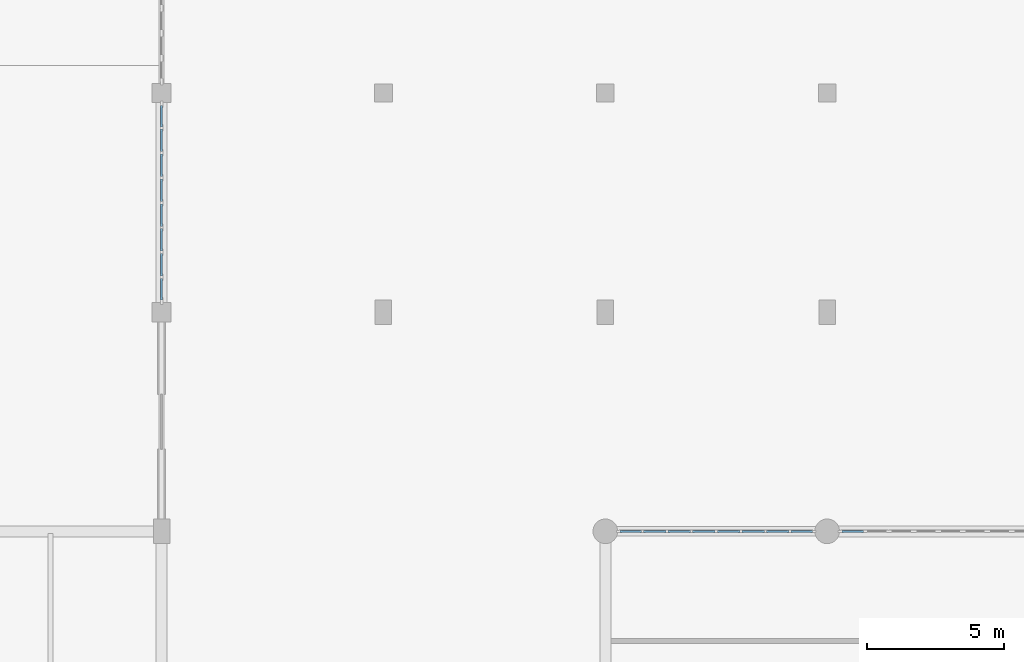
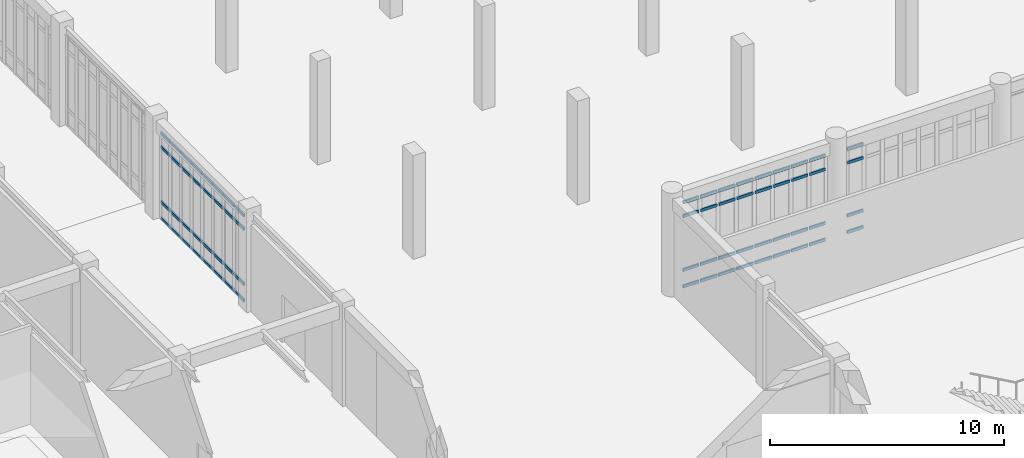
# One storey, part 20 of 62: 68 members, 3 elements without a shape of their own.
"""IFC4 building model written with IfcOpenShell, lengths in metres."""

from ifc_helpers import new_model, si_unit, direction, frame, origin, origin_2d, place, context, subcontext, project, spatial, rectangle, extrude, material, material_profile, profile_set, type_object, element, aggregate, save


model = new_model("IFC4")

# Units and contexts
model_context = context("Model", 3, precision=1e-05, world=origin(), true_north=direction((0.0, 1.0)))
body_context = subcontext(model_context, "Body", "Model", "MODEL_VIEW")
ifc_project = project(units=[si_unit("LENGTHUNIT", "METRE"), si_unit("AREAUNIT", "SQUARE_METRE"), si_unit("VOLUMEUNIT", "CUBIC_METRE"), si_unit("PLANEANGLEUNIT", "RADIAN"), si_unit("MASSUNIT", "GRAM", prefix="KILO")], contexts=[model_context])

# Site, building, storey
site_placement = place(None, origin())
site = spatial("IfcSite", under=ifc_project, at=site_placement, CompositionType="ELEMENT")
building_placement = place(site_placement, origin())
building = spatial("IfcBuilding", under=site, at=building_placement, Name="Tarnveldt Square Police Headquarters", CompositionType="ELEMENT")
storey_placement = place(building_placement, origin())
storey = spatial("IfcBuildingStorey", under=building, at=storey_placement, Name="L00", CompositionType="ELEMENT", Elevation=0.0)

# Curtain wall, members
ifc_material_1 = material(Name="Triple-glazed low-e laminated vision glass", Category="glass")
curtain_wall_type_1 = type_object("IfcCurtainWallType", Name="CW-CT-717x446", PredefinedType="USERDEFINED", material=ifc_material_1)
curtain_wall_1_placement = place(storey_placement, origin())
curtain_wall_1 = element("IfcCurtainWall", 1, at=curtain_wall_1_placement, inside=storey, type_object=curtain_wall_type_1, Name="L00 Curtain Wall CW-L00-014", ObjectType="GLAZED CURTAIN WALL", PredefinedType="USERDEFINED")
ifc_material_2 = material(Name="Thermally broken anodised aluminium 6063-T6", Category="aluminium")
ifc_material_profile = material_profile(ifc_material_2, rectangle(XDim=0.074951171875, YDim=0.14990234375, at=origin_2d()), Name="CW-T75x150")
ifc_profile_set = profile_set([ifc_material_profile], Name="Thermally broken anodised aluminium 6063-T6")
member_type = type_object("IfcMemberType", Name="CWT-75x150", PredefinedType="USERDEFINED", material=ifc_profile_set)
member_1_placement = place(storey_placement, frame((65.340087890625, 48.0, 0.03759765625), z_axis=(1.0, 0.0, 0.0), x_axis=(0.0, 1.0, 0.0)))
member_1 = element("IfcMember", 2, at=member_1_placement, type_object=member_type, Name="CW-CT06 transom 1.1", ObjectType="TRANSOM", PredefinedType="USERDEFINED", context=body_context, shape_type="SweptSolid", body=[
    extrude(rectangle(XDim=0.074951171875, YDim=0.14990234375, at=origin_2d()), origin(), (0.0, 0.0, 1.0), 0.78369140625),
])
member_2_placement = place(storey_placement, frame((65.340087890625, 48.0, 0.89990234375), z_axis=(1.0, 0.0, 0.0), x_axis=(0.0, 1.0, 0.0)))
member_2 = element("IfcMember", 3, at=member_2_placement, type_object=member_type, Name="CW-CT06 transom 1.2", ObjectType="TRANSOM", PredefinedType="USERDEFINED", context=body_context, shape_type="SweptSolid", body=[
    extrude(rectangle(XDim=0.074951171875, YDim=0.14990234375, at=origin_2d()), origin(), (0.0, 0.0, 1.0), 0.78369140625),
])
member_3_placement = place(storey_placement, frame((65.340087890625, 48.0, 3.7119140625), z_axis=(1.0, 0.0, 0.0), x_axis=(0.0, 1.0, 0.0)))
member_3 = element("IfcMember", 4, at=member_3_placement, type_object=member_type, Name="CW-CT06 transom 1.3", ObjectType="TRANSOM", PredefinedType="USERDEFINED", context=body_context, shape_type="SweptSolid", body=[
    extrude(rectangle(XDim=0.074951171875, YDim=0.14990234375, at=origin_2d()), origin(), (0.0, 0.0, 1.0), 0.78369140625),
])
member_4_placement = place(storey_placement, frame((65.340087890625, 48.0, 4.424560546875), z_axis=(1.0, 0.0, 0.0), x_axis=(0.0, 1.0, 0.0)))
member_4 = element("IfcMember", 5, at=member_4_placement, type_object=member_type, Name="CW-CT06 transom 1.4", ObjectType="TRANSOM", PredefinedType="USERDEFINED", context=body_context, shape_type="SweptSolid", body=[
    extrude(rectangle(XDim=0.074951171875, YDim=0.14990234375, at=origin_2d()), origin(), (0.0, 0.0, 1.0), 0.78369140625),
])
member_5_placement = place(storey_placement, frame((66.19873046875, 48.0, 0.03759765625), z_axis=(1.0, 0.0, 0.0), x_axis=(0.0, 1.0, 0.0)))
member_5 = element("IfcMember", 6, at=member_5_placement, type_object=member_type, Name="CW-CT06 transom 2.1", ObjectType="TRANSOM", PredefinedType="USERDEFINED", context=body_context, shape_type="SweptSolid", body=[
    extrude(rectangle(XDim=0.074951171875, YDim=0.14990234375, at=origin_2d()), origin(), (0.0, 0.0, 1.0), 0.8212890625),
])
member_6_placement = place(storey_placement, frame((66.19873046875, 48.0, 0.89990234375), z_axis=(1.0, 0.0, 0.0), x_axis=(0.0, 1.0, 0.0)))
member_6 = element("IfcMember", 7, at=member_6_placement, type_object=member_type, Name="CW-CT06 transom 2.2", ObjectType="TRANSOM", PredefinedType="USERDEFINED", context=body_context, shape_type="SweptSolid", body=[
    extrude(rectangle(XDim=0.074951171875, YDim=0.14990234375, at=origin_2d()), origin(), (0.0, 0.0, 1.0), 0.8212890625),
])
member_7_placement = place(storey_placement, frame((66.19873046875, 48.0, 3.7119140625), z_axis=(1.0, 0.0, 0.0), x_axis=(0.0, 1.0, 0.0)))
member_7 = element("IfcMember", 8, at=member_7_placement, type_object=member_type, Name="CW-CT06 transom 2.3", ObjectType="TRANSOM", PredefinedType="USERDEFINED", context=body_context, shape_type="SweptSolid", body=[
    extrude(rectangle(XDim=0.074951171875, YDim=0.14990234375, at=origin_2d()), origin(), (0.0, 0.0, 1.0), 0.8212890625),
])
member_8_placement = place(storey_placement, frame((66.19873046875, 48.0, 4.424560546875), z_axis=(1.0, 0.0, 0.0), x_axis=(0.0, 1.0, 0.0)))
member_8 = element("IfcMember", 9, at=member_8_placement, type_object=member_type, Name="CW-CT06 transom 2.4", ObjectType="TRANSOM", PredefinedType="USERDEFINED", context=body_context, shape_type="SweptSolid", body=[
    extrude(rectangle(XDim=0.074951171875, YDim=0.14990234375, at=origin_2d()), origin(), (0.0, 0.0, 1.0), 0.8212890625),
])
member_9_placement = place(storey_placement, frame((67.094970703125, 48.0, 0.03759765625), z_axis=(1.0, 0.0, 0.0), x_axis=(0.0, 1.0, 0.0)))
member_9 = element("IfcMember", 10, at=member_9_placement, type_object=member_type, Name="CW-CT06 transom 3.1", ObjectType="TRANSOM", PredefinedType="USERDEFINED", context=body_context, shape_type="SweptSolid", body=[
    extrude(rectangle(XDim=0.074951171875, YDim=0.14990234375, at=origin_2d()), origin(), (0.0, 0.0, 1.0), 0.8212890625),
])
member_10_placement = place(storey_placement, frame((67.094970703125, 48.0, 0.89990234375), z_axis=(1.0, 0.0, 0.0), x_axis=(0.0, 1.0, 0.0)))
member_10 = element("IfcMember", 11, at=member_10_placement, type_object=member_type, Name="CW-CT06 transom 3.2", ObjectType="TRANSOM", PredefinedType="USERDEFINED", context=body_context, shape_type="SweptSolid", body=[
    extrude(rectangle(XDim=0.074951171875, YDim=0.14990234375, at=origin_2d()), origin(), (0.0, 0.0, 1.0), 0.8212890625),
])
member_11_placement = place(storey_placement, frame((67.094970703125, 48.0, 3.7119140625), z_axis=(1.0, 0.0, 0.0), x_axis=(0.0, 1.0, 0.0)))
member_11 = element("IfcMember", 12, at=member_11_placement, type_object=member_type, Name="CW-CT06 transom 3.3", ObjectType="TRANSOM", PredefinedType="USERDEFINED", context=body_context, shape_type="SweptSolid", body=[
    extrude(rectangle(XDim=0.074951171875, YDim=0.14990234375, at=origin_2d()), origin(), (0.0, 0.0, 1.0), 0.8212890625),
])
member_12_placement = place(storey_placement, frame((67.094970703125, 48.0, 4.424560546875), z_axis=(1.0, 0.0, 0.0), x_axis=(0.0, 1.0, 0.0)))
member_12 = element("IfcMember", 13, at=member_12_placement, type_object=member_type, Name="CW-CT06 transom 3.4", ObjectType="TRANSOM", PredefinedType="USERDEFINED", context=body_context, shape_type="SweptSolid", body=[
    extrude(rectangle(XDim=0.074951171875, YDim=0.14990234375, at=origin_2d()), origin(), (0.0, 0.0, 1.0), 0.8212890625),
])
member_13_placement = place(storey_placement, frame((67.9912109375, 48.0, 0.03759765625), z_axis=(1.0, 0.0, 0.0), x_axis=(0.0, 1.0, 0.0)))
member_13 = element("IfcMember", 14, at=member_13_placement, type_object=member_type, Name="CW-CT06 transom 4.1", ObjectType="TRANSOM", PredefinedType="USERDEFINED", context=body_context, shape_type="SweptSolid", body=[
    extrude(rectangle(XDim=0.074951171875, YDim=0.14990234375, at=origin_2d()), origin(), (0.0, 0.0, 1.0), 0.8212890625),
])
member_14_placement = place(storey_placement, frame((67.9912109375, 48.0, 0.89990234375), z_axis=(1.0, 0.0, 0.0), x_axis=(0.0, 1.0, 0.0)))
member_14 = element("IfcMember", 15, at=member_14_placement, type_object=member_type, Name="CW-CT06 transom 4.2", ObjectType="TRANSOM", PredefinedType="USERDEFINED", context=body_context, shape_type="SweptSolid", body=[
    extrude(rectangle(XDim=0.074951171875, YDim=0.14990234375, at=origin_2d()), origin(), (0.0, 0.0, 1.0), 0.8212890625),
])
member_15_placement = place(storey_placement, frame((67.9912109375, 48.0, 3.7119140625), z_axis=(1.0, 0.0, 0.0), x_axis=(0.0, 1.0, 0.0)))
member_15 = element("IfcMember", 16, at=member_15_placement, type_object=member_type, Name="CW-CT06 transom 4.3", ObjectType="TRANSOM", PredefinedType="USERDEFINED", context=body_context, shape_type="SweptSolid", body=[
    extrude(rectangle(XDim=0.074951171875, YDim=0.14990234375, at=origin_2d()), origin(), (0.0, 0.0, 1.0), 0.8212890625),
])
member_16_placement = place(storey_placement, frame((67.9912109375, 48.0, 4.424560546875), z_axis=(1.0, 0.0, 0.0), x_axis=(0.0, 1.0, 0.0)))
member_16 = element("IfcMember", 17, at=member_16_placement, type_object=member_type, Name="CW-CT06 transom 4.4", ObjectType="TRANSOM", PredefinedType="USERDEFINED", context=body_context, shape_type="SweptSolid", body=[
    extrude(rectangle(XDim=0.074951171875, YDim=0.14990234375, at=origin_2d()), origin(), (0.0, 0.0, 1.0), 0.8212890625),
])
member_17_placement = place(storey_placement, frame((68.887451171875, 48.0, 0.03759765625), z_axis=(1.0, 0.0, 0.0), x_axis=(0.0, 1.0, 0.0)))
member_17 = element("IfcMember", 18, at=member_17_placement, type_object=member_type, Name="CW-CT06 transom 5.1", ObjectType="TRANSOM", PredefinedType="USERDEFINED", context=body_context, shape_type="SweptSolid", body=[
    extrude(rectangle(XDim=0.074951171875, YDim=0.14990234375, at=origin_2d()), origin(), (0.0, 0.0, 1.0), 0.8212890625),
])
member_18_placement = place(storey_placement, frame((68.887451171875, 48.0, 0.89990234375), z_axis=(1.0, 0.0, 0.0), x_axis=(0.0, 1.0, 0.0)))
member_18 = element("IfcMember", 19, at=member_18_placement, type_object=member_type, Name="CW-CT06 transom 5.2", ObjectType="TRANSOM", PredefinedType="USERDEFINED", context=body_context, shape_type="SweptSolid", body=[
    extrude(rectangle(XDim=0.074951171875, YDim=0.14990234375, at=origin_2d()), origin(), (0.0, 0.0, 1.0), 0.8212890625),
])
member_19_placement = place(storey_placement, frame((68.887451171875, 48.0, 3.7119140625), z_axis=(1.0, 0.0, 0.0), x_axis=(0.0, 1.0, 0.0)))
member_19 = element("IfcMember", 20, at=member_19_placement, type_object=member_type, Name="CW-CT06 transom 5.3", ObjectType="TRANSOM", PredefinedType="USERDEFINED", context=body_context, shape_type="SweptSolid", body=[
    extrude(rectangle(XDim=0.074951171875, YDim=0.14990234375, at=origin_2d()), origin(), (0.0, 0.0, 1.0), 0.8212890625),
])
member_20_placement = place(storey_placement, frame((68.887451171875, 48.0, 4.424560546875), z_axis=(1.0, 0.0, 0.0), x_axis=(0.0, 1.0, 0.0)))
member_20 = element("IfcMember", 21, at=member_20_placement, type_object=member_type, Name="CW-CT06 transom 5.4", ObjectType="TRANSOM", PredefinedType="USERDEFINED", context=body_context, shape_type="SweptSolid", body=[
    extrude(rectangle(XDim=0.074951171875, YDim=0.14990234375, at=origin_2d()), origin(), (0.0, 0.0, 1.0), 0.8212890625),
])
member_21_placement = place(storey_placement, frame((69.78369140625, 48.0, 0.03759765625), z_axis=(1.0, 0.0, 0.0), x_axis=(0.0, 1.0, 0.0)))
member_21 = element("IfcMember", 22, at=member_21_placement, type_object=member_type, Name="CW-CT06 transom 6.1", ObjectType="TRANSOM", PredefinedType="USERDEFINED", context=body_context, shape_type="SweptSolid", body=[
    extrude(rectangle(XDim=0.074951171875, YDim=0.14990234375, at=origin_2d()), origin(), (0.0, 0.0, 1.0), 0.8212890625),
])
member_22_placement = place(storey_placement, frame((69.78369140625, 48.0, 0.89990234375), z_axis=(1.0, 0.0, 0.0), x_axis=(0.0, 1.0, 0.0)))
member_22 = element("IfcMember", 23, at=member_22_placement, type_object=member_type, Name="CW-CT06 transom 6.2", ObjectType="TRANSOM", PredefinedType="USERDEFINED", context=body_context, shape_type="SweptSolid", body=[
    extrude(rectangle(XDim=0.074951171875, YDim=0.14990234375, at=origin_2d()), origin(), (0.0, 0.0, 1.0), 0.8212890625),
])
member_23_placement = place(storey_placement, frame((69.78369140625, 48.0, 3.7119140625), z_axis=(1.0, 0.0, 0.0), x_axis=(0.0, 1.0, 0.0)))
member_23 = element("IfcMember", 24, at=member_23_placement, type_object=member_type, Name="CW-CT06 transom 6.3", ObjectType="TRANSOM", PredefinedType="USERDEFINED", context=body_context, shape_type="SweptSolid", body=[
    extrude(rectangle(XDim=0.074951171875, YDim=0.14990234375, at=origin_2d()), origin(), (0.0, 0.0, 1.0), 0.8212890625),
])
member_24_placement = place(storey_placement, frame((69.78369140625, 48.0, 4.424560546875), z_axis=(1.0, 0.0, 0.0), x_axis=(0.0, 1.0, 0.0)))
member_24 = element("IfcMember", 25, at=member_24_placement, type_object=member_type, Name="CW-CT06 transom 6.4", ObjectType="TRANSOM", PredefinedType="USERDEFINED", context=body_context, shape_type="SweptSolid", body=[
    extrude(rectangle(XDim=0.074951171875, YDim=0.14990234375, at=origin_2d()), origin(), (0.0, 0.0, 1.0), 0.8212890625),
])
member_25_placement = place(storey_placement, frame((70.679931640625, 48.0, 0.03759765625), z_axis=(1.0, 0.0, 0.0), x_axis=(0.0, 1.0, 0.0)))
member_25 = element("IfcMember", 26, at=member_25_placement, type_object=member_type, Name="CW-CT06 transom 7.1", ObjectType="TRANSOM", PredefinedType="USERDEFINED", context=body_context, shape_type="SweptSolid", body=[
    extrude(rectangle(XDim=0.074951171875, YDim=0.14990234375, at=origin_2d()), origin(), (0.0, 0.0, 1.0), 0.8212890625),
])
member_26_placement = place(storey_placement, frame((70.679931640625, 48.0, 0.89990234375), z_axis=(1.0, 0.0, 0.0), x_axis=(0.0, 1.0, 0.0)))
member_26 = element("IfcMember", 27, at=member_26_placement, type_object=member_type, Name="CW-CT06 transom 7.2", ObjectType="TRANSOM", PredefinedType="USERDEFINED", context=body_context, shape_type="SweptSolid", body=[
    extrude(rectangle(XDim=0.074951171875, YDim=0.14990234375, at=origin_2d()), origin(), (0.0, 0.0, 1.0), 0.8212890625),
])
member_27_placement = place(storey_placement, frame((70.679931640625, 48.0, 3.7119140625), z_axis=(1.0, 0.0, 0.0), x_axis=(0.0, 1.0, 0.0)))
member_27 = element("IfcMember", 28, at=member_27_placement, type_object=member_type, Name="CW-CT06 transom 7.3", ObjectType="TRANSOM", PredefinedType="USERDEFINED", context=body_context, shape_type="SweptSolid", body=[
    extrude(rectangle(XDim=0.074951171875, YDim=0.14990234375, at=origin_2d()), origin(), (0.0, 0.0, 1.0), 0.8212890625),
])
member_28_placement = place(storey_placement, frame((70.679931640625, 48.0, 4.424560546875), z_axis=(1.0, 0.0, 0.0), x_axis=(0.0, 1.0, 0.0)))
member_28 = element("IfcMember", 29, at=member_28_placement, type_object=member_type, Name="CW-CT06 transom 7.4", ObjectType="TRANSOM", PredefinedType="USERDEFINED", context=body_context, shape_type="SweptSolid", body=[
    extrude(rectangle(XDim=0.074951171875, YDim=0.14990234375, at=origin_2d()), origin(), (0.0, 0.0, 1.0), 0.8212890625),
])
member_29_placement = place(storey_placement, frame((71.576171875, 48.0, 0.03759765625), z_axis=(1.0, 0.0, 0.0), x_axis=(0.0, 1.0, 0.0)))
member_29 = element("IfcMember", 30, at=member_29_placement, type_object=member_type, Name="CW-CT06 transom 8.1", ObjectType="TRANSOM", PredefinedType="USERDEFINED", context=body_context, shape_type="SweptSolid", body=[
    extrude(rectangle(XDim=0.074951171875, YDim=0.14990234375, at=origin_2d()), origin(), (0.0, 0.0, 1.0), 0.783935546875),
])
member_30_placement = place(storey_placement, frame((71.576171875, 48.0, 0.89990234375), z_axis=(1.0, 0.0, 0.0), x_axis=(0.0, 1.0, 0.0)))
member_30 = element("IfcMember", 31, at=member_30_placement, type_object=member_type, Name="CW-CT06 transom 8.2", ObjectType="TRANSOM", PredefinedType="USERDEFINED", context=body_context, shape_type="SweptSolid", body=[
    extrude(rectangle(XDim=0.074951171875, YDim=0.14990234375, at=origin_2d()), origin(), (0.0, 0.0, 1.0), 0.783935546875),
])
member_31_placement = place(storey_placement, frame((71.576171875, 48.0, 3.7119140625), z_axis=(1.0, 0.0, 0.0), x_axis=(0.0, 1.0, 0.0)))
member_31 = element("IfcMember", 32, at=member_31_placement, type_object=member_type, Name="CW-CT06 transom 8.3", ObjectType="TRANSOM", PredefinedType="USERDEFINED", context=body_context, shape_type="SweptSolid", body=[
    extrude(rectangle(XDim=0.074951171875, YDim=0.14990234375, at=origin_2d()), origin(), (0.0, 0.0, 1.0), 0.783935546875),
])
member_32_placement = place(storey_placement, frame((71.576171875, 48.0, 4.424560546875), z_axis=(1.0, 0.0, 0.0), x_axis=(0.0, 1.0, 0.0)))
member_32 = element("IfcMember", 33, at=member_32_placement, type_object=member_type, Name="CW-CT06 transom 8.4", ObjectType="TRANSOM", PredefinedType="USERDEFINED", context=body_context, shape_type="SweptSolid", body=[
    extrude(rectangle(XDim=0.074951171875, YDim=0.14990234375, at=origin_2d()), origin(), (0.0, 0.0, 1.0), 0.783935546875),
])
aggregate(curtain_wall_1, [member_1, member_2, member_3, member_4, member_5, member_6, member_7, member_8, member_9, member_10, member_11, member_12, member_13, member_14, member_15, member_16, member_17, member_18, member_19, member_20, member_21, member_22, member_23, member_24, member_25, member_26, member_27, member_28, member_29, member_30, member_31, member_32])

curtain_wall_type_2 = type_object("IfcCurtainWallType", Name="CW-CT-717x441", PredefinedType="USERDEFINED", material=ifc_material_1)
curtain_wall_2_placement = place(storey_placement, origin())
curtain_wall_2 = element("IfcCurtainWall", 34, at=curtain_wall_2_placement, inside=storey, type_object=curtain_wall_type_2, Name="L00 Curtain Wall CW-L00-015", ObjectType="GLAZED CURTAIN WALL", PredefinedType="USERDEFINED")
member_33_placement = place(storey_placement, frame((73.43994140625, 48.0, 0.03759765625), z_axis=(1.0, 0.0, 0.0), x_axis=(0.0, 1.0, 0.0)))
member_33 = element("IfcMember", 35, at=member_33_placement, type_object=member_type, Name="CW-CT07 transom 1.1", ObjectType="TRANSOM", PredefinedType="USERDEFINED", context=body_context, shape_type="SweptSolid", body=[
    extrude(rectangle(XDim=0.074951171875, YDim=0.14990234375, at=origin_2d()), origin(), (0.0, 0.0, 1.0), 0.78369140625),
])
member_34_placement = place(storey_placement, frame((73.43994140625, 48.0, 0.89990234375), z_axis=(1.0, 0.0, 0.0), x_axis=(0.0, 1.0, 0.0)))
member_34 = element("IfcMember", 36, at=member_34_placement, type_object=member_type, Name="CW-CT07 transom 1.2", ObjectType="TRANSOM", PredefinedType="USERDEFINED", context=body_context, shape_type="SweptSolid", body=[
    extrude(rectangle(XDim=0.074951171875, YDim=0.14990234375, at=origin_2d()), origin(), (0.0, 0.0, 1.0), 0.78369140625),
])
member_35_placement = place(storey_placement, frame((73.43994140625, 48.0, 3.662109375), z_axis=(1.0, 0.0, 0.0), x_axis=(0.0, 1.0, 0.0)))
member_35 = element("IfcMember", 37, at=member_35_placement, type_object=member_type, Name="CW-CT07 transom 1.3", ObjectType="TRANSOM", PredefinedType="USERDEFINED", context=body_context, shape_type="SweptSolid", body=[
    extrude(rectangle(XDim=0.074951171875, YDim=0.14990234375, at=origin_2d()), origin(), (0.0, 0.0, 1.0), 0.78369140625),
])
member_36_placement = place(storey_placement, frame((73.43994140625, 48.0, 4.37451171875), z_axis=(1.0, 0.0, 0.0), x_axis=(0.0, 1.0, 0.0)))
member_36 = element("IfcMember", 38, at=member_36_placement, type_object=member_type, Name="CW-CT07 transom 1.4", ObjectType="TRANSOM", PredefinedType="USERDEFINED", context=body_context, shape_type="SweptSolid", body=[
    extrude(rectangle(XDim=0.074951171875, YDim=0.14990234375, at=origin_2d()), origin(), (0.0, 0.0, 1.0), 0.78369140625),
])
aggregate(curtain_wall_2, [member_33, member_34, member_35, member_36])

curtain_wall_type_3 = type_object("IfcCurtainWallType", Name="CW-WG-727x451", PredefinedType="USERDEFINED", material=ifc_material_1)
curtain_wall_3_placement = place(storey_placement, origin())
curtain_wall_3 = element("IfcCurtainWall", 39, at=curtain_wall_3_placement, inside=storey, type_object=curtain_wall_type_3, Name="L00 Curtain Wall CW-L00-062", ObjectType="GLAZED CURTAIN WALL", PredefinedType="USERDEFINED")
member_37_placement = place(storey_placement, frame((48.60009765625, 56.449951171875, 0.03759765625), z_axis=(0.0, 1.0, 0.0), x_axis=(-1.0, 0.0, 0.0)))
member_37 = element("IfcMember", 40, at=member_37_placement, type_object=member_type, Name="CW-WG24 transom 1.1", ObjectType="TRANSOM", PredefinedType="USERDEFINED", context=body_context, shape_type="SweptSolid", body=[
    extrude(rectangle(XDim=0.074951171875, YDim=0.14990234375, at=origin_2d()), origin(), (0.0, 0.0, 1.0), 0.78125),
])
member_38_placement = place(storey_placement, frame((48.60009765625, 56.449951171875, 0.89990234375), z_axis=(0.0, 1.0, 0.0), x_axis=(-1.0, 0.0, 0.0)))
member_38 = element("IfcMember", 41, at=member_38_placement, type_object=member_type, Name="CW-WG24 transom 1.2", ObjectType="TRANSOM", PredefinedType="USERDEFINED", context=body_context, shape_type="SweptSolid", body=[
    extrude(rectangle(XDim=0.074951171875, YDim=0.14990234375, at=origin_2d()), origin(), (0.0, 0.0, 1.0), 0.78125),
])
member_39_placement = place(storey_placement, frame((48.60009765625, 56.449951171875, 3.761962890625), z_axis=(0.0, 1.0, 0.0), x_axis=(-1.0, 0.0, 0.0)))
member_39 = element("IfcMember", 42, at=member_39_placement, type_object=member_type, Name="CW-WG24 transom 1.3", ObjectType="TRANSOM", PredefinedType="USERDEFINED", context=body_context, shape_type="SweptSolid", body=[
    extrude(rectangle(XDim=0.074951171875, YDim=0.14990234375, at=origin_2d()), origin(), (0.0, 0.0, 1.0), 0.78125),
])
member_40_placement = place(storey_placement, frame((48.60009765625, 56.449951171875, 4.474609375), z_axis=(0.0, 1.0, 0.0), x_axis=(-1.0, 0.0, 0.0)))
member_40 = element("IfcMember", 43, at=member_40_placement, type_object=member_type, Name="CW-WG24 transom 1.4", ObjectType="TRANSOM", PredefinedType="USERDEFINED", context=body_context, shape_type="SweptSolid", body=[
    extrude(rectangle(XDim=0.074951171875, YDim=0.14990234375, at=origin_2d()), origin(), (0.0, 0.0, 1.0), 0.78125),
])
member_41_placement = place(storey_placement, frame((48.60009765625, 57.316162109375, 0.03759765625), z_axis=(0.0, 1.0, 0.0), x_axis=(-1.0, 0.0, 0.0)))
member_41 = element("IfcMember", 44, at=member_41_placement, type_object=member_type, Name="CW-WG24 transom 2.1", ObjectType="TRANSOM", PredefinedType="USERDEFINED", context=body_context, shape_type="SweptSolid", body=[
    extrude(rectangle(XDim=0.074951171875, YDim=0.14990234375, at=origin_2d()), origin(), (0.0, 0.0, 1.0), 0.82373046875),
])
member_42_placement = place(storey_placement, frame((48.60009765625, 57.316162109375, 0.89990234375), z_axis=(0.0, 1.0, 0.0), x_axis=(-1.0, 0.0, 0.0)))
member_42 = element("IfcMember", 45, at=member_42_placement, type_object=member_type, Name="CW-WG24 transom 2.2", ObjectType="TRANSOM", PredefinedType="USERDEFINED", context=body_context, shape_type="SweptSolid", body=[
    extrude(rectangle(XDim=0.074951171875, YDim=0.14990234375, at=origin_2d()), origin(), (0.0, 0.0, 1.0), 0.82373046875),
])
member_43_placement = place(storey_placement, frame((48.60009765625, 57.316162109375, 3.761962890625), z_axis=(0.0, 1.0, 0.0), x_axis=(-1.0, 0.0, 0.0)))
member_43 = element("IfcMember", 46, at=member_43_placement, type_object=member_type, Name="CW-WG24 transom 2.3", ObjectType="TRANSOM", PredefinedType="USERDEFINED", context=body_context, shape_type="SweptSolid", body=[
    extrude(rectangle(XDim=0.074951171875, YDim=0.14990234375, at=origin_2d()), origin(), (0.0, 0.0, 1.0), 0.82373046875),
])
member_44_placement = place(storey_placement, frame((48.60009765625, 57.316162109375, 4.474609375), z_axis=(0.0, 1.0, 0.0), x_axis=(-1.0, 0.0, 0.0)))
member_44 = element("IfcMember", 47, at=member_44_placement, type_object=member_type, Name="CW-WG24 transom 2.4", ObjectType="TRANSOM", PredefinedType="USERDEFINED", context=body_context, shape_type="SweptSolid", body=[
    extrude(rectangle(XDim=0.074951171875, YDim=0.14990234375, at=origin_2d()), origin(), (0.0, 0.0, 1.0), 0.82373046875),
])
member_45_placement = place(storey_placement, frame((48.60009765625, 58.22509765625, 0.03759765625), z_axis=(0.0, 1.0, 0.0), x_axis=(-1.0, 0.0, 0.0)))
member_45 = element("IfcMember", 48, at=member_45_placement, type_object=member_type, Name="CW-WG24 transom 3.1", ObjectType="TRANSOM", PredefinedType="USERDEFINED", context=body_context, shape_type="SweptSolid", body=[
    extrude(rectangle(XDim=0.074951171875, YDim=0.14990234375, at=origin_2d()), origin(), (0.0, 0.0, 1.0), 0.82373046875),
])
member_46_placement = place(storey_placement, frame((48.60009765625, 58.22509765625, 0.89990234375), z_axis=(0.0, 1.0, 0.0), x_axis=(-1.0, 0.0, 0.0)))
member_46 = element("IfcMember", 49, at=member_46_placement, type_object=member_type, Name="CW-WG24 transom 3.2", ObjectType="TRANSOM", PredefinedType="USERDEFINED", context=body_context, shape_type="SweptSolid", body=[
    extrude(rectangle(XDim=0.074951171875, YDim=0.14990234375, at=origin_2d()), origin(), (0.0, 0.0, 1.0), 0.82373046875),
])
member_47_placement = place(storey_placement, frame((48.60009765625, 58.22509765625, 3.761962890625), z_axis=(0.0, 1.0, 0.0), x_axis=(-1.0, 0.0, 0.0)))
member_47 = element("IfcMember", 50, at=member_47_placement, type_object=member_type, Name="CW-WG24 transom 3.3", ObjectType="TRANSOM", PredefinedType="USERDEFINED", context=body_context, shape_type="SweptSolid", body=[
    extrude(rectangle(XDim=0.074951171875, YDim=0.14990234375, at=origin_2d()), origin(), (0.0, 0.0, 1.0), 0.82373046875),
])
member_48_placement = place(storey_placement, frame((48.60009765625, 58.22509765625, 4.474609375), z_axis=(0.0, 1.0, 0.0), x_axis=(-1.0, 0.0, 0.0)))
member_48 = element("IfcMember", 51, at=member_48_placement, type_object=member_type, Name="CW-WG24 transom 3.4", ObjectType="TRANSOM", PredefinedType="USERDEFINED", context=body_context, shape_type="SweptSolid", body=[
    extrude(rectangle(XDim=0.074951171875, YDim=0.14990234375, at=origin_2d()), origin(), (0.0, 0.0, 1.0), 0.82373046875),
])
member_49_placement = place(storey_placement, frame((48.60009765625, 59.1337890625, 0.03759765625), z_axis=(0.0, 1.0, 0.0), x_axis=(-1.0, 0.0, 0.0)))
member_49 = element("IfcMember", 52, at=member_49_placement, type_object=member_type, Name="CW-WG24 transom 4.1", ObjectType="TRANSOM", PredefinedType="USERDEFINED", context=body_context, shape_type="SweptSolid", body=[
    extrude(rectangle(XDim=0.074951171875, YDim=0.14990234375, at=origin_2d()), origin(), (0.0, 0.0, 1.0), 0.82373046875),
])
member_50_placement = place(storey_placement, frame((48.60009765625, 59.1337890625, 0.89990234375), z_axis=(0.0, 1.0, 0.0), x_axis=(-1.0, 0.0, 0.0)))
member_50 = element("IfcMember", 53, at=member_50_placement, type_object=member_type, Name="CW-WG24 transom 4.2", ObjectType="TRANSOM", PredefinedType="USERDEFINED", context=body_context, shape_type="SweptSolid", body=[
    extrude(rectangle(XDim=0.074951171875, YDim=0.14990234375, at=origin_2d()), origin(), (0.0, 0.0, 1.0), 0.82373046875),
])
member_51_placement = place(storey_placement, frame((48.60009765625, 59.1337890625, 3.761962890625), z_axis=(0.0, 1.0, 0.0), x_axis=(-1.0, 0.0, 0.0)))
member_51 = element("IfcMember", 54, at=member_51_placement, type_object=member_type, Name="CW-WG24 transom 4.3", ObjectType="TRANSOM", PredefinedType="USERDEFINED", context=body_context, shape_type="SweptSolid", body=[
    extrude(rectangle(XDim=0.074951171875, YDim=0.14990234375, at=origin_2d()), origin(), (0.0, 0.0, 1.0), 0.82373046875),
])
member_52_placement = place(storey_placement, frame((48.60009765625, 59.1337890625, 4.474609375), z_axis=(0.0, 1.0, 0.0), x_axis=(-1.0, 0.0, 0.0)))
member_52 = element("IfcMember", 55, at=member_52_placement, type_object=member_type, Name="CW-WG24 transom 4.4", ObjectType="TRANSOM", PredefinedType="USERDEFINED", context=body_context, shape_type="SweptSolid", body=[
    extrude(rectangle(XDim=0.074951171875, YDim=0.14990234375, at=origin_2d()), origin(), (0.0, 0.0, 1.0), 0.82373046875),
])
member_53_placement = place(storey_placement, frame((48.60009765625, 60.04248046875, 0.03759765625), z_axis=(0.0, 1.0, 0.0), x_axis=(-1.0, 0.0, 0.0)))
member_53 = element("IfcMember", 56, at=member_53_placement, type_object=member_type, Name="CW-WG24 transom 5.1", ObjectType="TRANSOM", PredefinedType="USERDEFINED", context=body_context, shape_type="SweptSolid", body=[
    extrude(rectangle(XDim=0.074951171875, YDim=0.14990234375, at=origin_2d()), origin(), (0.0, 0.0, 1.0), 0.82373046875),
])
member_54_placement = place(storey_placement, frame((48.60009765625, 60.04248046875, 0.89990234375), z_axis=(0.0, 1.0, 0.0), x_axis=(-1.0, 0.0, 0.0)))
member_54 = element("IfcMember", 57, at=member_54_placement, type_object=member_type, Name="CW-WG24 transom 5.2", ObjectType="TRANSOM", PredefinedType="USERDEFINED", context=body_context, shape_type="SweptSolid", body=[
    extrude(rectangle(XDim=0.074951171875, YDim=0.14990234375, at=origin_2d()), origin(), (0.0, 0.0, 1.0), 0.82373046875),
])
member_55_placement = place(storey_placement, frame((48.60009765625, 60.04248046875, 3.761962890625), z_axis=(0.0, 1.0, 0.0), x_axis=(-1.0, 0.0, 0.0)))
member_55 = element("IfcMember", 58, at=member_55_placement, type_object=member_type, Name="CW-WG24 transom 5.3", ObjectType="TRANSOM", PredefinedType="USERDEFINED", context=body_context, shape_type="SweptSolid", body=[
    extrude(rectangle(XDim=0.074951171875, YDim=0.14990234375, at=origin_2d()), origin(), (0.0, 0.0, 1.0), 0.82373046875),
])
member_56_placement = place(storey_placement, frame((48.60009765625, 60.04248046875, 4.474609375), z_axis=(0.0, 1.0, 0.0), x_axis=(-1.0, 0.0, 0.0)))
member_56 = element("IfcMember", 59, at=member_56_placement, type_object=member_type, Name="CW-WG24 transom 5.4", ObjectType="TRANSOM", PredefinedType="USERDEFINED", context=body_context, shape_type="SweptSolid", body=[
    extrude(rectangle(XDim=0.074951171875, YDim=0.14990234375, at=origin_2d()), origin(), (0.0, 0.0, 1.0), 0.82373046875),
])
member_57_placement = place(storey_placement, frame((48.60009765625, 60.951171875, 0.03759765625), z_axis=(0.0, 1.0, 0.0), x_axis=(-1.0, 0.0, 0.0)))
member_57 = element("IfcMember", 60, at=member_57_placement, type_object=member_type, Name="CW-WG24 transom 6.1", ObjectType="TRANSOM", PredefinedType="USERDEFINED", context=body_context, shape_type="SweptSolid", body=[
    extrude(rectangle(XDim=0.074951171875, YDim=0.14990234375, at=origin_2d()), origin(), (0.0, 0.0, 1.0), 0.82373046875),
])
member_58_placement = place(storey_placement, frame((48.60009765625, 60.951171875, 0.89990234375), z_axis=(0.0, 1.0, 0.0), x_axis=(-1.0, 0.0, 0.0)))
member_58 = element("IfcMember", 61, at=member_58_placement, type_object=member_type, Name="CW-WG24 transom 6.2", ObjectType="TRANSOM", PredefinedType="USERDEFINED", context=body_context, shape_type="SweptSolid", body=[
    extrude(rectangle(XDim=0.074951171875, YDim=0.14990234375, at=origin_2d()), origin(), (0.0, 0.0, 1.0), 0.82373046875),
])
member_59_placement = place(storey_placement, frame((48.60009765625, 60.951171875, 3.761962890625), z_axis=(0.0, 1.0, 0.0), x_axis=(-1.0, 0.0, 0.0)))
member_59 = element("IfcMember", 62, at=member_59_placement, type_object=member_type, Name="CW-WG24 transom 6.3", ObjectType="TRANSOM", PredefinedType="USERDEFINED", context=body_context, shape_type="SweptSolid", body=[
    extrude(rectangle(XDim=0.074951171875, YDim=0.14990234375, at=origin_2d()), origin(), (0.0, 0.0, 1.0), 0.82373046875),
])
member_60_placement = place(storey_placement, frame((48.60009765625, 60.951171875, 4.474609375), z_axis=(0.0, 1.0, 0.0), x_axis=(-1.0, 0.0, 0.0)))
member_60 = element("IfcMember", 63, at=member_60_placement, type_object=member_type, Name="CW-WG24 transom 6.4", ObjectType="TRANSOM", PredefinedType="USERDEFINED", context=body_context, shape_type="SweptSolid", body=[
    extrude(rectangle(XDim=0.074951171875, YDim=0.14990234375, at=origin_2d()), origin(), (0.0, 0.0, 1.0), 0.82373046875),
])
member_61_placement = place(storey_placement, frame((48.60009765625, 61.860107421875, 0.03759765625), z_axis=(0.0, 1.0, 0.0), x_axis=(-1.0, 0.0, 0.0)))
member_61 = element("IfcMember", 64, at=member_61_placement, type_object=member_type, Name="CW-WG24 transom 7.1", ObjectType="TRANSOM", PredefinedType="USERDEFINED", context=body_context, shape_type="SweptSolid", body=[
    extrude(rectangle(XDim=0.074951171875, YDim=0.14990234375, at=origin_2d()), origin(), (0.0, 0.0, 1.0), 0.82373046875),
])
member_62_placement = place(storey_placement, frame((48.60009765625, 61.860107421875, 0.89990234375), z_axis=(0.0, 1.0, 0.0), x_axis=(-1.0, 0.0, 0.0)))
member_62 = element("IfcMember", 65, at=member_62_placement, type_object=member_type, Name="CW-WG24 transom 7.2", ObjectType="TRANSOM", PredefinedType="USERDEFINED", context=body_context, shape_type="SweptSolid", body=[
    extrude(rectangle(XDim=0.074951171875, YDim=0.14990234375, at=origin_2d()), origin(), (0.0, 0.0, 1.0), 0.82373046875),
])
member_63_placement = place(storey_placement, frame((48.60009765625, 61.860107421875, 3.761962890625), z_axis=(0.0, 1.0, 0.0), x_axis=(-1.0, 0.0, 0.0)))
member_63 = element("IfcMember", 66, at=member_63_placement, type_object=member_type, Name="CW-WG24 transom 7.3", ObjectType="TRANSOM", PredefinedType="USERDEFINED", context=body_context, shape_type="SweptSolid", body=[
    extrude(rectangle(XDim=0.074951171875, YDim=0.14990234375, at=origin_2d()), origin(), (0.0, 0.0, 1.0), 0.82373046875),
])
member_64_placement = place(storey_placement, frame((48.60009765625, 61.860107421875, 4.474609375), z_axis=(0.0, 1.0, 0.0), x_axis=(-1.0, 0.0, 0.0)))
member_64 = element("IfcMember", 67, at=member_64_placement, type_object=member_type, Name="CW-WG24 transom 7.4", ObjectType="TRANSOM", PredefinedType="USERDEFINED", context=body_context, shape_type="SweptSolid", body=[
    extrude(rectangle(XDim=0.074951171875, YDim=0.14990234375, at=origin_2d()), origin(), (0.0, 0.0, 1.0), 0.82373046875),
])
member_65_placement = place(storey_placement, frame((48.60009765625, 62.768798828125, 0.03759765625), z_axis=(0.0, 1.0, 0.0), x_axis=(-1.0, 0.0, 0.0)))
member_65 = element("IfcMember", 68, at=member_65_placement, type_object=member_type, Name="CW-WG24 transom 8.1", ObjectType="TRANSOM", PredefinedType="USERDEFINED", context=body_context, shape_type="SweptSolid", body=[
    extrude(rectangle(XDim=0.074951171875, YDim=0.14990234375, at=origin_2d()), origin(), (0.0, 0.0, 1.0), 0.78125),
])
member_66_placement = place(storey_placement, frame((48.60009765625, 62.768798828125, 0.89990234375), z_axis=(0.0, 1.0, 0.0), x_axis=(-1.0, 0.0, 0.0)))
member_66 = element("IfcMember", 69, at=member_66_placement, type_object=member_type, Name="CW-WG24 transom 8.2", ObjectType="TRANSOM", PredefinedType="USERDEFINED", context=body_context, shape_type="SweptSolid", body=[
    extrude(rectangle(XDim=0.074951171875, YDim=0.14990234375, at=origin_2d()), origin(), (0.0, 0.0, 1.0), 0.78125),
])
member_67_placement = place(storey_placement, frame((48.60009765625, 62.768798828125, 3.761962890625), z_axis=(0.0, 1.0, 0.0), x_axis=(-1.0, 0.0, 0.0)))
member_67 = element("IfcMember", 70, at=member_67_placement, type_object=member_type, Name="CW-WG24 transom 8.3", ObjectType="TRANSOM", PredefinedType="USERDEFINED", context=body_context, shape_type="SweptSolid", body=[
    extrude(rectangle(XDim=0.074951171875, YDim=0.14990234375, at=origin_2d()), origin(), (0.0, 0.0, 1.0), 0.78125),
])
member_68_placement = place(storey_placement, frame((48.60009765625, 62.768798828125, 4.474609375), z_axis=(0.0, 1.0, 0.0), x_axis=(-1.0, 0.0, 0.0)))
member_68 = element("IfcMember", 71, at=member_68_placement, type_object=member_type, Name="CW-WG24 transom 8.4", ObjectType="TRANSOM", PredefinedType="USERDEFINED", context=body_context, shape_type="SweptSolid", body=[
    extrude(rectangle(XDim=0.074951171875, YDim=0.14990234375, at=origin_2d()), origin(), (0.0, 0.0, 1.0), 0.78125),
])
aggregate(curtain_wall_3, [member_37, member_38, member_39, member_40, member_41, member_42, member_43, member_44, member_45, member_46, member_47, member_48, member_49, member_50, member_51, member_52, member_53, member_54, member_55, member_56, member_57, member_58, member_59, member_60, member_61, member_62, member_63, member_64, member_65, member_66, member_67, member_68])

save(model, "model.ifc")
